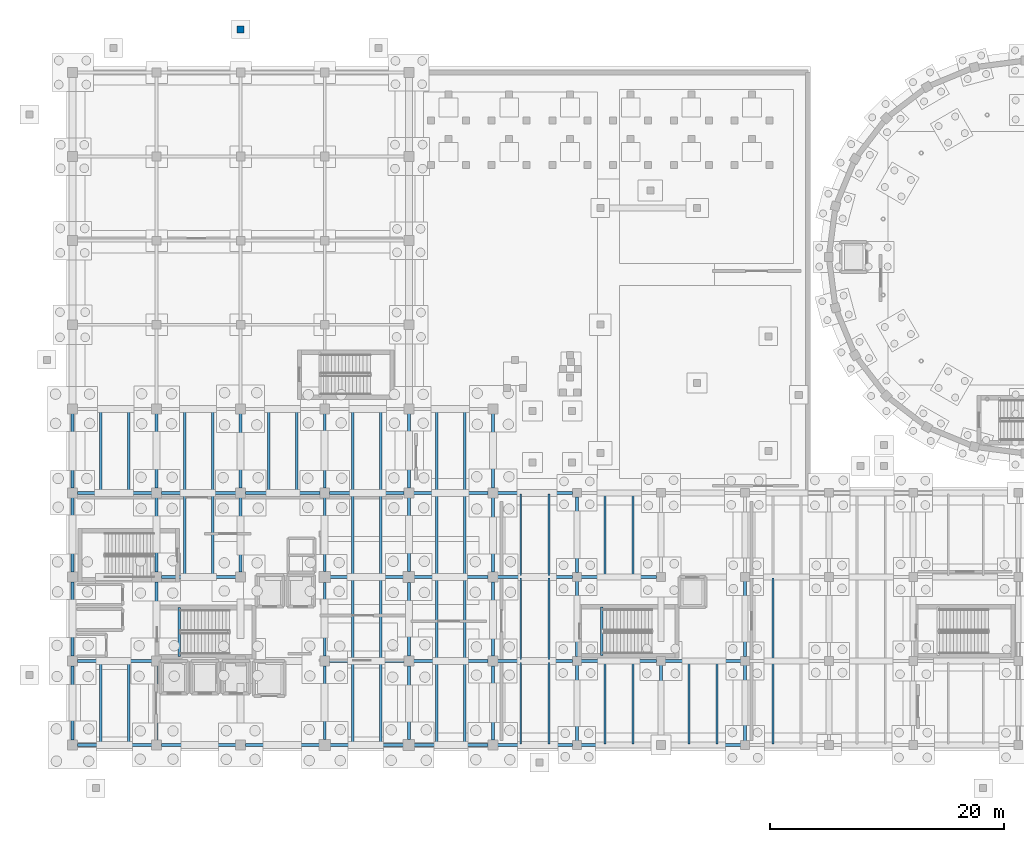
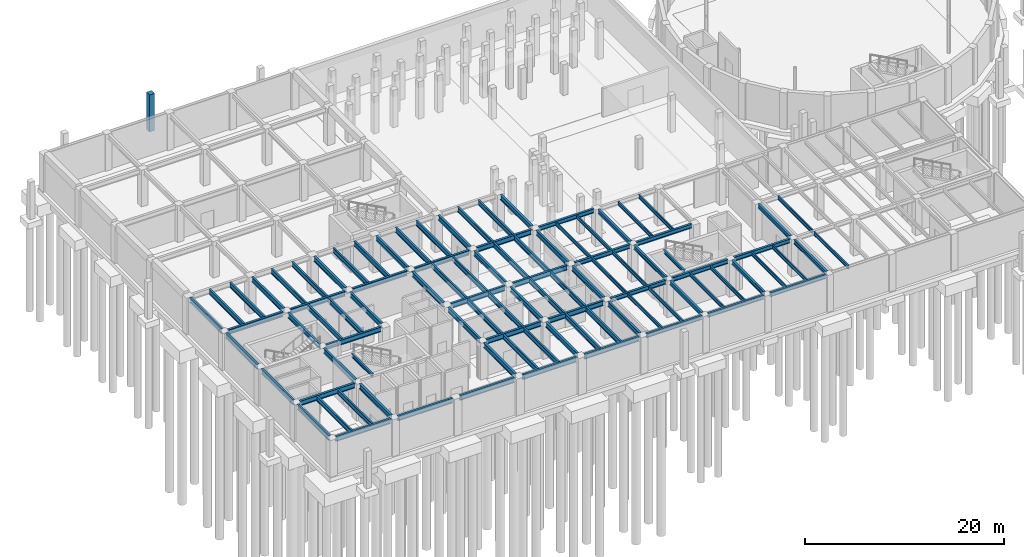
# One storey, part 10 of 26: 95 beams, 1 column.
"""IFC4 building model written with IfcOpenShell, lengths in metres."""

from ifc_helpers import new_model, si_unit, direction, frame, origin, origin_2d, place, context, subcontext, project, spatial, rectangle, i_section, extrude, material, material_profile, profile_set, type_object, element, save


model = new_model("IFC4")

# Units and contexts
model_context = context("Model", 3, precision=1e-05, world=origin(), true_north=direction((0.0, 1.0)))
body_context = subcontext(model_context, "Body", "Model", "MODEL_VIEW")
ifc_project = project(units=[si_unit("LENGTHUNIT", "METRE"), si_unit("AREAUNIT", "SQUARE_METRE"), si_unit("VOLUMEUNIT", "CUBIC_METRE"), si_unit("PLANEANGLEUNIT", "RADIAN"), si_unit("MASSUNIT", "GRAM", prefix="KILO")], contexts=[model_context])

# Site, building, storey
site_placement = place(None, origin())
site = spatial("IfcSite", under=ifc_project, at=site_placement, CompositionType="ELEMENT")
building_placement = place(site_placement, origin())
building = spatial("IfcBuilding", under=site, at=building_placement, Name="Kandorven Conservatory and Botanical Research Centre", CompositionType="ELEMENT")
storey_placement = place(building_placement, frame((0.0, 0.0, -4.800048828125)))
storey = spatial("IfcBuildingStorey", under=building, at=storey_placement, Name="B01", CompositionType="ELEMENT", Elevation=-4.800048828125)

# Column
ifc_material_1 = material(Name="Concrete C40/50 (M50)", Category="concrete")
ifc_material_profile_1 = material_profile(ifc_material_1, rectangle(XDim=0.60009765625, YDim=0.60009765625, at=origin_2d()))
ifc_profile_set_1 = profile_set([ifc_material_profile_1], Name="Concrete C40/50 (M50)")
column_type = type_object("IfcColumnType", Name="Col_TC-04", PredefinedType="COLUMN", material=ifc_profile_set_1)
column_placement = place(storey_placement, frame((20.39990234375, 67.300048828125, 0.0), z_axis=(0.0, 0.0, 1.0), x_axis=(1.0, 0.0, 0.0)))
element("IfcColumn", 1, at=column_placement, inside=storey, type_object=column_type, Name="Grade apron support pier SLAB-EXT-NORTH-LANE-2", PredefinedType="COLUMN", context=body_context, shape_type="SweptSolid", body=[
    extrude(rectangle(XDim=0.60009765625, YDim=0.60009765625, at=origin_2d()), origin(), (0.0, 0.0, 1.0), 4.550048828125),
])

# Beams
ifc_material_2 = material(Name="Steel S355 (IS 2062 E350)", Category="steel")
ifc_material_profile_2 = material_profile(ifc_material_2, i_section(OverallWidth=0.25, OverallDepth=0.60009765625, WebThickness=0.01171875, FlangeThickness=0.023681640625, at=origin_2d()))
ifc_profile_set_2 = profile_set([ifc_material_profile_2], Name="Steel S355 (IS 2062 E350)")
beam_type_1 = type_object("IfcBeamType", Name="Beam_FG-01", PredefinedType="USERDEFINED", material=ifc_profile_set_2)
beam_1_placement = place(storey_placement, frame((6.4150390625, 6.0, 4.199951171875), z_axis=(1.0, 0.0, 0.0), x_axis=(0.0, 1.0, 0.0)))
element("IfcBeam", 2, at=beam_1_placement, inside=storey, type_object=beam_type_1, Name="Primary girder FG-01 TWR B01", ObjectType="GIRDER", PredefinedType="USERDEFINED", context=body_context, shape_type="SweptSolid", body=[
    extrude(i_section(OverallWidth=0.25, OverallDepth=0.60009765625, WebThickness=0.01171875, FlangeThickness=0.023681640625, at=origin_2d()), origin(), (0.0, 0.0, 1.0), 6.369873046875),
])
beam_2_placement = place(storey_placement, frame((13.614990234375, 6.0, 4.199951171875), z_axis=(1.0, 0.0, 0.0), x_axis=(0.0, 1.0, 0.0)))
element("IfcBeam", 3, at=beam_2_placement, inside=storey, type_object=beam_type_1, Name="Primary girder FG-01 TWR B01", ObjectType="GIRDER", PredefinedType="USERDEFINED", context=body_context, shape_type="SweptSolid", body=[
    extrude(i_section(OverallWidth=0.25, OverallDepth=0.60009765625, WebThickness=0.01171875, FlangeThickness=0.023681640625, at=origin_2d()), origin(), (0.0, 0.0, 1.0), 6.3701171875),
])
beam_3_placement = place(storey_placement, frame((20.81494140625, 6.0, 4.199951171875), z_axis=(1.0, 0.0, 0.0), x_axis=(0.0, 1.0, 0.0)))
element("IfcBeam", 4, at=beam_3_placement, inside=storey, type_object=beam_type_1, Name="Primary girder FG-01 TWR B01", ObjectType="GIRDER", PredefinedType="USERDEFINED", context=body_context, shape_type="SweptSolid", body=[
    extrude(i_section(OverallWidth=0.25, OverallDepth=0.60009765625, WebThickness=0.01171875, FlangeThickness=0.023681640625, at=origin_2d()), origin(), (0.0, 0.0, 1.0), 6.320068359375),
])
beam_4_placement = place(storey_placement, frame((28.06494140625, 6.0, 4.199951171875), z_axis=(1.0, 0.0, 0.0), x_axis=(0.0, 1.0, 0.0)))
element("IfcBeam", 5, at=beam_4_placement, inside=storey, type_object=beam_type_1, Name="Primary girder FG-01 TWR B01", ObjectType="GIRDER", PredefinedType="USERDEFINED", context=body_context, shape_type="SweptSolid", body=[
    extrude(i_section(OverallWidth=0.25, OverallDepth=0.60009765625, WebThickness=0.01171875, FlangeThickness=0.023681640625, at=origin_2d()), origin(), (0.0, 0.0, 1.0), 6.27001953125),
])
beam_5_placement = place(storey_placement, frame((35.264892578125, 6.0, 4.199951171875), z_axis=(1.0, 0.0, 0.0), x_axis=(0.0, 1.0, 0.0)))
element("IfcBeam", 6, at=beam_5_placement, inside=storey, type_object=beam_type_1, Name="Primary girder FG-01 TWR B01", ObjectType="GIRDER", PredefinedType="USERDEFINED", context=body_context, shape_type="SweptSolid", body=[
    extrude(i_section(OverallWidth=0.25, OverallDepth=0.60009765625, WebThickness=0.01171875, FlangeThickness=0.023681640625, at=origin_2d()), origin(), (0.0, 0.0, 1.0), 6.320068359375),
])
beam_6_placement = place(storey_placement, frame((6.4150390625, 13.199951171875, 4.199951171875), z_axis=(1.0, 0.0, 0.0), x_axis=(0.0, 1.0, 0.0)))
element("IfcBeam", 7, at=beam_6_placement, inside=storey, type_object=beam_type_1, Name="Primary girder FG-01 TWR B01", ObjectType="GIRDER", PredefinedType="USERDEFINED", context=body_context, shape_type="SweptSolid", body=[
    extrude(i_section(OverallWidth=0.25, OverallDepth=0.60009765625, WebThickness=0.01171875, FlangeThickness=0.023681640625, at=origin_2d()), origin(), (0.0, 0.0, 1.0), 6.369873046875),
])
beam_7_placement = place(storey_placement, frame((28.014892578125, 13.199951171875, 4.199951171875), z_axis=(1.0, 0.0, 0.0), x_axis=(0.0, 1.0, 0.0)))
element("IfcBeam", 8, at=beam_7_placement, inside=storey, type_object=beam_type_1, Name="Primary girder FG-01 TWR B01", ObjectType="GIRDER", PredefinedType="USERDEFINED", context=body_context, shape_type="SweptSolid", body=[
    extrude(i_section(OverallWidth=0.25, OverallDepth=0.60009765625, WebThickness=0.01171875, FlangeThickness=0.023681640625, at=origin_2d()), origin(), (0.0, 0.0, 1.0), 6.3701171875),
])
beam_8_placement = place(storey_placement, frame((35.215087890625, 13.199951171875, 4.199951171875), z_axis=(1.0, 0.0, 0.0), x_axis=(0.0, 1.0, 0.0)))
element("IfcBeam", 9, at=beam_8_placement, inside=storey, type_object=beam_type_1, Name="Primary girder FG-01 TWR B01", ObjectType="GIRDER", PredefinedType="USERDEFINED", context=body_context, shape_type="SweptSolid", body=[
    extrude(i_section(OverallWidth=0.25, OverallDepth=0.60009765625, WebThickness=0.01171875, FlangeThickness=0.023681640625, at=origin_2d()), origin(), (0.0, 0.0, 1.0), 6.369873046875),
])
beam_9_placement = place(storey_placement, frame((13.614990234375, 20.39990234375, 4.199951171875), z_axis=(1.0, 0.0, 0.0), x_axis=(0.0, 1.0, 0.0)))
element("IfcBeam", 10, at=beam_9_placement, inside=storey, type_object=beam_type_1, Name="Primary girder FG-01 TWR B01", ObjectType="GIRDER", PredefinedType="USERDEFINED", context=body_context, shape_type="SweptSolid", body=[
    extrude(i_section(OverallWidth=0.25, OverallDepth=0.60009765625, WebThickness=0.01171875, FlangeThickness=0.023681640625, at=origin_2d()), origin(), (0.0, 0.0, 1.0), 6.3701171875),
])
beam_10_placement = place(storey_placement, frame((28.06494140625, 20.39990234375, 4.199951171875), z_axis=(1.0, 0.0, 0.0), x_axis=(0.0, 1.0, 0.0)))
element("IfcBeam", 11, at=beam_10_placement, inside=storey, type_object=beam_type_1, Name="Primary girder FG-01 TWR B01", ObjectType="GIRDER", PredefinedType="USERDEFINED", context=body_context, shape_type="SweptSolid", body=[
    extrude(i_section(OverallWidth=0.25, OverallDepth=0.60009765625, WebThickness=0.01171875, FlangeThickness=0.023681640625, at=origin_2d()), origin(), (0.0, 0.0, 1.0), 6.27001953125),
])
beam_11_placement = place(storey_placement, frame((35.264892578125, 20.39990234375, 4.199951171875), z_axis=(1.0, 0.0, 0.0), x_axis=(0.0, 1.0, 0.0)))
element("IfcBeam", 12, at=beam_11_placement, inside=storey, type_object=beam_type_1, Name="Primary girder FG-01 TWR B01", ObjectType="GIRDER", PredefinedType="USERDEFINED", context=body_context, shape_type="SweptSolid", body=[
    extrude(i_section(OverallWidth=0.25, OverallDepth=0.60009765625, WebThickness=0.01171875, FlangeThickness=0.023681640625, at=origin_2d()), origin(), (0.0, 0.0, 1.0), 6.320068359375),
])
beam_12_placement = place(storey_placement, frame((6.4150390625, 27.60009765625, 4.199951171875), z_axis=(1.0, 0.0, 0.0), x_axis=(0.0, 1.0, 0.0)))
element("IfcBeam", 13, at=beam_12_placement, inside=storey, type_object=beam_type_1, Name="Primary girder FG-01 TWR B01", ObjectType="GIRDER", PredefinedType="USERDEFINED", context=body_context, shape_type="SweptSolid", body=[
    extrude(i_section(OverallWidth=0.25, OverallDepth=0.60009765625, WebThickness=0.01171875, FlangeThickness=0.023681640625, at=origin_2d()), origin(), (0.0, 0.0, 1.0), 6.369873046875),
])
for number, where, z_axis, x_axis, name in (
    (14, (13.614990234375, 27.60009765625, 4.199951171875), (1.0, 0.0, 0.0), (0.0, 1.0, 0.0), "Primary girder FG-01 TWR B01"),
    (15, (20.81494140625, 27.60009765625, 4.199951171875), (1.0, 0.0, 0.0), (0.0, 1.0, 0.0), "Primary girder FG-01 TWR B01"),
    (16, (28.014892578125, 27.60009765625, 4.199951171875), (1.0, 0.0, 0.0), (0.0, 1.0, 0.0), "Primary girder FG-01 TWR B01"),
):
    element("IfcBeam", number, at=place(storey_placement, frame(where, z_axis=z_axis, x_axis=x_axis)), inside=storey, type_object=beam_type_1, Name=name, ObjectType="GIRDER", PredefinedType="USERDEFINED", context=body_context, shape_type="SweptSolid", body=[
        extrude(i_section(OverallWidth=0.25, OverallDepth=0.60009765625, WebThickness=0.01171875, FlangeThickness=0.023681640625, at=origin_2d()), origin(), (0.0, 0.0, 1.0), 6.3701171875),
    ])
for number, where, z_axis, x_axis, name in (
    (17, (35.215087890625, 27.60009765625, 4.199951171875), (1.0, 0.0, 0.0), (0.0, 1.0, 0.0), "Primary girder FG-01 TWR B01"),
    (18, (6.0, 6.4150390625, 4.199951171875), (0.0, 1.0, 0.0), (-1.0, 0.0, 0.0), "Primary girder FG-01 TWR B01"),
):
    element("IfcBeam", number, at=place(storey_placement, frame(where, z_axis=z_axis, x_axis=x_axis)), inside=storey, type_object=beam_type_1, Name=name, ObjectType="GIRDER", PredefinedType="USERDEFINED", context=body_context, shape_type="SweptSolid", body=[
        extrude(i_section(OverallWidth=0.25, OverallDepth=0.60009765625, WebThickness=0.01171875, FlangeThickness=0.023681640625, at=origin_2d()), origin(), (0.0, 0.0, 1.0), 6.369873046875),
    ])
for number, where, z_axis, x_axis, name in (
    (19, (6.0, 13.614990234375, 4.199951171875), (0.0, 1.0, 0.0), (-1.0, 0.0, 0.0), "Primary girder FG-01 TWR B01"),
    (20, (6.0, 20.81494140625, 4.199951171875), (0.0, 1.0, 0.0), (-1.0, 0.0, 0.0), "Primary girder FG-01 TWR B01"),
    (21, (6.0, 28.014892578125, 4.199951171875), (0.0, 1.0, 0.0), (-1.0, 0.0, 0.0), "Primary girder FG-01 TWR B01"),
):
    element("IfcBeam", number, at=place(storey_placement, frame(where, z_axis=z_axis, x_axis=x_axis)), inside=storey, type_object=beam_type_1, Name=name, ObjectType="GIRDER", PredefinedType="USERDEFINED", context=body_context, shape_type="SweptSolid", body=[
        extrude(i_section(OverallWidth=0.25, OverallDepth=0.60009765625, WebThickness=0.01171875, FlangeThickness=0.023681640625, at=origin_2d()), origin(), (0.0, 0.0, 1.0), 6.3701171875),
    ])
beam_13_placement = place(storey_placement, frame((13.199951171875, 6.4150390625, 4.199951171875), z_axis=(0.0, 1.0, 0.0), x_axis=(-1.0, 0.0, 0.0)))
element("IfcBeam", 22, at=beam_13_placement, inside=storey, type_object=beam_type_1, Name="Primary girder FG-01 TWR B01", ObjectType="GIRDER", PredefinedType="USERDEFINED", context=body_context, shape_type="SweptSolid", body=[
    extrude(i_section(OverallWidth=0.25, OverallDepth=0.60009765625, WebThickness=0.01171875, FlangeThickness=0.023681640625, at=origin_2d()), origin(), (0.0, 0.0, 1.0), 6.369873046875),
])
for number, where, z_axis, x_axis, name in (
    (23, (13.199951171875, 13.614990234375, 4.199951171875), (0.0, 1.0, 0.0), (-1.0, 0.0, 0.0), "Primary girder FG-01 TWR B01"),
    (24, (13.199951171875, 20.81494140625, 4.199951171875), (0.0, 1.0, 0.0), (-1.0, 0.0, 0.0), "Primary girder FG-01 TWR B01"),
    (25, (13.199951171875, 28.014892578125, 4.199951171875), (0.0, 1.0, 0.0), (-1.0, 0.0, 0.0), "Primary girder FG-01 TWR B01"),
    (26, (20.39990234375, 20.81494140625, 4.199951171875), (0.0, 1.0, 0.0), (-1.0, 0.0, 0.0), "Primary girder FG-01 TWR B01"),
    (27, (20.39990234375, 28.014892578125, 4.199951171875), (0.0, 1.0, 0.0), (-1.0, 0.0, 0.0), "Primary girder FG-01 TWR B01"),
):
    element("IfcBeam", number, at=place(storey_placement, frame(where, z_axis=z_axis, x_axis=x_axis)), inside=storey, type_object=beam_type_1, Name=name, ObjectType="GIRDER", PredefinedType="USERDEFINED", context=body_context, shape_type="SweptSolid", body=[
        extrude(i_section(OverallWidth=0.25, OverallDepth=0.60009765625, WebThickness=0.01171875, FlangeThickness=0.023681640625, at=origin_2d()), origin(), (0.0, 0.0, 1.0), 6.3701171875),
    ])
beam_14_placement = place(storey_placement, frame((27.60009765625, 6.465087890625, 4.199951171875), z_axis=(0.0, 1.0, 0.0), x_axis=(-1.0, 0.0, 0.0)))
element("IfcBeam", 28, at=beam_14_placement, inside=storey, type_object=beam_type_1, Name="Primary girder FG-01 TWR B01", ObjectType="GIRDER", PredefinedType="USERDEFINED", context=body_context, shape_type="SweptSolid", body=[
    extrude(i_section(OverallWidth=0.25, OverallDepth=0.60009765625, WebThickness=0.01171875, FlangeThickness=0.023681640625, at=origin_2d()), origin(), (0.0, 0.0, 1.0), 6.31982421875),
])
for number, where, z_axis, x_axis, name in (
    (29, (27.60009765625, 13.614990234375, 4.199951171875), (0.0, 1.0, 0.0), (-1.0, 0.0, 0.0), "Primary girder FG-01 TWR B01"),
    (30, (27.60009765625, 20.864990234375, 4.199951171875), (0.0, 1.0, 0.0), (-1.0, 0.0, 0.0), "Primary girder FG-01 TWR B01"),
):
    element("IfcBeam", number, at=place(storey_placement, frame(where, z_axis=z_axis, x_axis=x_axis)), inside=storey, type_object=beam_type_1, Name=name, ObjectType="GIRDER", PredefinedType="USERDEFINED", context=body_context, shape_type="SweptSolid", body=[
        extrude(i_section(OverallWidth=0.25, OverallDepth=0.60009765625, WebThickness=0.01171875, FlangeThickness=0.023681640625, at=origin_2d()), origin(), (0.0, 0.0, 1.0), 6.320068359375),
    ])
beam_15_placement = place(storey_placement, frame((27.60009765625, 28.014892578125, 4.199951171875), z_axis=(0.0, 1.0, 0.0), x_axis=(-1.0, 0.0, 0.0)))
element("IfcBeam", 31, at=beam_15_placement, inside=storey, type_object=beam_type_1, Name="Primary girder FG-01 TWR B01", ObjectType="GIRDER", PredefinedType="USERDEFINED", context=body_context, shape_type="SweptSolid", body=[
    extrude(i_section(OverallWidth=0.25, OverallDepth=0.60009765625, WebThickness=0.01171875, FlangeThickness=0.023681640625, at=origin_2d()), origin(), (0.0, 0.0, 1.0), 6.3701171875),
])
beam_16_placement = place(storey_placement, frame((34.800048828125, 6.465087890625, 4.199951171875), z_axis=(0.0, 1.0, 0.0), x_axis=(-1.0, 0.0, 0.0)))
element("IfcBeam", 32, at=beam_16_placement, inside=storey, type_object=beam_type_1, Name="Primary girder FG-01 TWR B01", ObjectType="GIRDER", PredefinedType="USERDEFINED", context=body_context, shape_type="SweptSolid", body=[
    extrude(i_section(OverallWidth=0.25, OverallDepth=0.60009765625, WebThickness=0.01171875, FlangeThickness=0.023681640625, at=origin_2d()), origin(), (0.0, 0.0, 1.0), 6.31982421875),
])
for number, where, z_axis, x_axis, name in (
    (33, (34.800048828125, 13.614990234375, 4.199951171875), (0.0, 1.0, 0.0), (-1.0, 0.0, 0.0), "Primary girder FG-01 TWR B01"),
    (34, (34.800048828125, 20.864990234375, 4.199951171875), (0.0, 1.0, 0.0), (-1.0, 0.0, 0.0), "Primary girder FG-01 TWR B01"),
):
    element("IfcBeam", number, at=place(storey_placement, frame(where, z_axis=z_axis, x_axis=x_axis)), inside=storey, type_object=beam_type_1, Name=name, ObjectType="GIRDER", PredefinedType="USERDEFINED", context=body_context, shape_type="SweptSolid", body=[
        extrude(i_section(OverallWidth=0.25, OverallDepth=0.60009765625, WebThickness=0.01171875, FlangeThickness=0.023681640625, at=origin_2d()), origin(), (0.0, 0.0, 1.0), 6.320068359375),
    ])
beam_17_placement = place(storey_placement, frame((34.800048828125, 28.014892578125, 4.199951171875), z_axis=(0.0, 1.0, 0.0), x_axis=(-1.0, 0.0, 0.0)))
element("IfcBeam", 35, at=beam_17_placement, inside=storey, type_object=beam_type_1, Name="Primary girder FG-01 TWR B01", ObjectType="GIRDER", PredefinedType="USERDEFINED", context=body_context, shape_type="SweptSolid", body=[
    extrude(i_section(OverallWidth=0.25, OverallDepth=0.60009765625, WebThickness=0.01171875, FlangeThickness=0.023681640625, at=origin_2d()), origin(), (0.0, 0.0, 1.0), 6.3701171875),
])
beam_18_placement = place(storey_placement, frame((42.0, 6.4150390625, 4.199951171875), z_axis=(0.0, 1.0, 0.0), x_axis=(-1.0, 0.0, 0.0)))
element("IfcBeam", 36, at=beam_18_placement, inside=storey, type_object=beam_type_1, Name="Primary girder FG-01 TWR B01", ObjectType="GIRDER", PredefinedType="USERDEFINED", context=body_context, shape_type="SweptSolid", body=[
    extrude(i_section(OverallWidth=0.25, OverallDepth=0.60009765625, WebThickness=0.01171875, FlangeThickness=0.023681640625, at=origin_2d()), origin(), (0.0, 0.0, 1.0), 6.369873046875),
])
for number, where, z_axis, x_axis, name in (
    (37, (42.0, 13.614990234375, 4.199951171875), (0.0, 1.0, 0.0), (-1.0, 0.0, 0.0), "Primary girder FG-01 TWR B01"),
    (38, (42.0, 20.81494140625, 4.199951171875), (0.0, 1.0, 0.0), (-1.0, 0.0, 0.0), "Primary girder FG-01 TWR B01"),
    (39, (42.0, 28.014892578125, 4.199951171875), (0.0, 1.0, 0.0), (-1.0, 0.0, 0.0), "Primary girder FG-01 TWR B01"),
):
    element("IfcBeam", number, at=place(storey_placement, frame(where, z_axis=z_axis, x_axis=x_axis)), inside=storey, type_object=beam_type_1, Name=name, ObjectType="GIRDER", PredefinedType="USERDEFINED", context=body_context, shape_type="SweptSolid", body=[
        extrude(i_section(OverallWidth=0.25, OverallDepth=0.60009765625, WebThickness=0.01171875, FlangeThickness=0.023681640625, at=origin_2d()), origin(), (0.0, 0.0, 1.0), 6.3701171875),
    ])
ifc_material_3 = material(Name="Steel S355 (IS 2062 E350)", Category="steel")
ifc_material_profile_3 = material_profile(ifc_material_3, i_section(OverallWidth=0.25, OverallDepth=0.5, WebThickness=0.010009765625, FlangeThickness=0.0146484375, at=origin_2d()))
ifc_profile_set_3 = profile_set([ifc_material_profile_3], Name="Steel S355 (IS 2062 E350)")
beam_type_2 = type_object("IfcBeamType", Name="Beam_FG-02", PredefinedType="USERDEFINED", material=ifc_profile_set_3)
beam_19_placement = place(storey_placement, frame((42.4150390625, 6.0, 4.25), z_axis=(1.0, 0.0, 0.0), x_axis=(0.0, 1.0, 0.0)))
element("IfcBeam", 40, at=beam_19_placement, inside=storey, type_object=beam_type_2, Name="Primary girder FG-02 VIS B01", ObjectType="GIRDER", PredefinedType="USERDEFINED", context=body_context, shape_type="SweptSolid", body=[
    extrude(i_section(OverallWidth=0.25, OverallDepth=0.5, WebThickness=0.010009765625, FlangeThickness=0.0146484375, at=origin_2d()), origin(), (0.0, 0.0, 1.0), 6.419921875),
])
beam_20_placement = place(storey_placement, frame((49.56494140625, 6.0, 4.25), z_axis=(1.0, 0.0, 0.0), x_axis=(0.0, 1.0, 0.0)))
element("IfcBeam", 41, at=beam_20_placement, inside=storey, type_object=beam_type_2, Name="Primary girder FG-02 VIS B01", ObjectType="GIRDER", PredefinedType="USERDEFINED", context=body_context, shape_type="SweptSolid", body=[
    extrude(i_section(OverallWidth=0.25, OverallDepth=0.5, WebThickness=0.010009765625, FlangeThickness=0.0146484375, at=origin_2d()), origin(), (0.0, 0.0, 1.0), 6.469970703125),
])
beam_21_placement = place(storey_placement, frame((56.764892578125, 6.0, 4.25), z_axis=(1.0, 0.0, 0.0), x_axis=(0.0, 1.0, 0.0)))
element("IfcBeam", 42, at=beam_21_placement, inside=storey, type_object=beam_type_2, Name="Primary girder FG-02 VIS B01", ObjectType="GIRDER", PredefinedType="USERDEFINED", context=body_context, shape_type="SweptSolid", body=[
    extrude(i_section(OverallWidth=0.25, OverallDepth=0.5, WebThickness=0.010009765625, FlangeThickness=0.0146484375, at=origin_2d()), origin(), (0.0, 0.0, 1.0), 6.47021484375),
])
beam_22_placement = place(storey_placement, frame((42.4150390625, 13.199951171875, 4.25), z_axis=(1.0, 0.0, 0.0), x_axis=(0.0, 1.0, 0.0)))
element("IfcBeam", 43, at=beam_22_placement, inside=storey, type_object=beam_type_2, Name="Primary girder FG-02 VIS B01", ObjectType="GIRDER", PredefinedType="USERDEFINED", context=body_context, shape_type="SweptSolid", body=[
    extrude(i_section(OverallWidth=0.25, OverallDepth=0.5, WebThickness=0.010009765625, FlangeThickness=0.0146484375, at=origin_2d()), origin(), (0.0, 0.0, 1.0), 6.419921875),
])
beam_23_placement = place(storey_placement, frame((49.56494140625, 13.199951171875, 4.25), z_axis=(1.0, 0.0, 0.0), x_axis=(0.0, 1.0, 0.0)))
element("IfcBeam", 44, at=beam_23_placement, inside=storey, type_object=beam_type_2, Name="Primary girder FG-02 VIS B01", ObjectType="GIRDER", PredefinedType="USERDEFINED", context=body_context, shape_type="SweptSolid", body=[
    extrude(i_section(OverallWidth=0.25, OverallDepth=0.5, WebThickness=0.010009765625, FlangeThickness=0.0146484375, at=origin_2d()), origin(), (0.0, 0.0, 1.0), 6.469970703125),
])
beam_24_placement = place(storey_placement, frame((56.764892578125, 13.199951171875, 4.25), z_axis=(1.0, 0.0, 0.0), x_axis=(0.0, 1.0, 0.0)))
element("IfcBeam", 45, at=beam_24_placement, inside=storey, type_object=beam_type_2, Name="Primary girder FG-02 VIS B01", ObjectType="GIRDER", PredefinedType="USERDEFINED", context=body_context, shape_type="SweptSolid", body=[
    extrude(i_section(OverallWidth=0.25, OverallDepth=0.5, WebThickness=0.010009765625, FlangeThickness=0.0146484375, at=origin_2d()), origin(), (0.0, 0.0, 1.0), 6.47021484375),
])
beam_25_placement = place(storey_placement, frame((42.4150390625, 20.39990234375, 4.25), z_axis=(1.0, 0.0, 0.0), x_axis=(0.0, 1.0, 0.0)))
element("IfcBeam", 46, at=beam_25_placement, inside=storey, type_object=beam_type_2, Name="Primary girder FG-02 VIS B01", ObjectType="GIRDER", PredefinedType="USERDEFINED", context=body_context, shape_type="SweptSolid", body=[
    extrude(i_section(OverallWidth=0.25, OverallDepth=0.5, WebThickness=0.010009765625, FlangeThickness=0.0146484375, at=origin_2d()), origin(), (0.0, 0.0, 1.0), 6.419921875),
])
beam_26_placement = place(storey_placement, frame((49.56494140625, 20.39990234375, 4.25), z_axis=(1.0, 0.0, 0.0), x_axis=(0.0, 1.0, 0.0)))
element("IfcBeam", 47, at=beam_26_placement, inside=storey, type_object=beam_type_2, Name="Primary girder FG-02 VIS B01", ObjectType="GIRDER", PredefinedType="USERDEFINED", context=body_context, shape_type="SweptSolid", body=[
    extrude(i_section(OverallWidth=0.25, OverallDepth=0.5, WebThickness=0.010009765625, FlangeThickness=0.0146484375, at=origin_2d()), origin(), (0.0, 0.0, 1.0), 6.469970703125),
])
beam_27_placement = place(storey_placement, frame((42.4150390625, 27.60009765625, 4.25), z_axis=(1.0, 0.0, 0.0), x_axis=(0.0, 1.0, 0.0)))
element("IfcBeam", 48, at=beam_27_placement, inside=storey, type_object=beam_type_2, Name="Primary girder FG-02 VIS B01", ObjectType="GIRDER", PredefinedType="USERDEFINED", context=body_context, shape_type="SweptSolid", body=[
    extrude(i_section(OverallWidth=0.25, OverallDepth=0.5, WebThickness=0.010009765625, FlangeThickness=0.0146484375, at=origin_2d()), origin(), (0.0, 0.0, 1.0), 6.419921875),
])
for number, where, z_axis, x_axis, name in (
    (49, (49.199951171875, 6.364990234375, 4.25), (0.0, 1.0, 0.0), (-1.0, 0.0, 0.0), "Primary girder FG-02 VIS B01"),
    (50, (49.199951171875, 13.56494140625, 4.25), (0.0, 1.0, 0.0), (-1.0, 0.0, 0.0), "Primary girder FG-02 VIS B01"),
):
    element("IfcBeam", number, at=place(storey_placement, frame(where, z_axis=z_axis, x_axis=x_axis)), inside=storey, type_object=beam_type_2, Name=name, ObjectType="GIRDER", PredefinedType="USERDEFINED", context=body_context, shape_type="SweptSolid", body=[
        extrude(i_section(OverallWidth=0.25, OverallDepth=0.5, WebThickness=0.010009765625, FlangeThickness=0.0146484375, at=origin_2d()), origin(), (0.0, 0.0, 1.0), 6.469970703125),
    ])
beam_28_placement = place(storey_placement, frame((49.199951171875, 20.764892578125, 4.25), z_axis=(0.0, 1.0, 0.0), x_axis=(-1.0, 0.0, 0.0)))
element("IfcBeam", 51, at=beam_28_placement, inside=storey, type_object=beam_type_2, Name="Primary girder FG-02 VIS B01", ObjectType="GIRDER", PredefinedType="USERDEFINED", context=body_context, shape_type="SweptSolid", body=[
    extrude(i_section(OverallWidth=0.25, OverallDepth=0.5, WebThickness=0.010009765625, FlangeThickness=0.0146484375, at=origin_2d()), origin(), (0.0, 0.0, 1.0), 6.47021484375),
])
for number, where, z_axis, x_axis, name in (
    (52, (56.39990234375, 6.364990234375, 4.25), (0.0, 1.0, 0.0), (-1.0, 0.0, 0.0), "Primary girder FG-02 VIS B01"),
    (53, (63.60009765625, 6.364990234375, 4.25), (0.0, 1.0, 0.0), (-1.0, 0.0, 0.0), "Primary girder FG-02 VIS B01"),
    (54, (63.60009765625, 13.56494140625, 4.25), (0.0, 1.0, 0.0), (-1.0, 0.0, 0.0), "Primary girder FG-02 VIS B01"),
):
    element("IfcBeam", number, at=place(storey_placement, frame(where, z_axis=z_axis, x_axis=x_axis)), inside=storey, type_object=beam_type_2, Name=name, ObjectType="GIRDER", PredefinedType="USERDEFINED", context=body_context, shape_type="SweptSolid", body=[
        extrude(i_section(OverallWidth=0.25, OverallDepth=0.5, WebThickness=0.010009765625, FlangeThickness=0.0146484375, at=origin_2d()), origin(), (0.0, 0.0, 1.0), 6.469970703125),
    ])
ifc_material_4 = material(Name="Steel S355 (IS 2062 E350)", Category="steel")
ifc_material_profile_4 = material_profile(ifc_material_4, i_section(OverallWidth=0.199951171875, OverallDepth=0.39990234375, WebThickness=0.008544921875, FlangeThickness=0.012939453125, at=origin_2d()))
ifc_profile_set_4 = profile_set([ifc_material_profile_4], Name="Steel S355 (IS 2062 E350)")
beam_type_3 = type_object("IfcBeamType", Name="Beam_FG-03", PredefinedType="USERDEFINED", material=ifc_profile_set_4)
beam_29_placement = place(storey_placement, frame((15.139892578125, 13.580078125, 4.300048828125), z_axis=(0.0, 1.0, 0.0), x_axis=(-1.0, 0.0, 0.0)))
element("IfcBeam", 55, at=beam_29_placement, inside=storey, type_object=beam_type_3, Name="Stair well top header girder FG-03 ST-T1 B01", ObjectType="GIRDER", PredefinedType="USERDEFINED", context=body_context, shape_type="SweptSolid", body=[
    extrude(i_section(OverallWidth=0.199951171875, OverallDepth=0.39990234375, WebThickness=0.008544921875, FlangeThickness=0.012939453125, at=origin_2d()), origin(), (0.0, 0.0, 1.0), 4.18994140625),
])
beam_30_placement = place(storey_placement, frame((51.340087890625, 13.64990234375, 4.300048828125), z_axis=(0.0, 1.0, 0.0), x_axis=(-1.0, 0.0, 0.0)))
element("IfcBeam", 56, at=beam_30_placement, inside=storey, type_object=beam_type_3, Name="Stair well top header girder FG-03 ST-V3A B01", ObjectType="GIRDER", PredefinedType="USERDEFINED", context=body_context, shape_type="SweptSolid", body=[
    extrude(i_section(OverallWidth=0.199951171875, OverallDepth=0.39990234375, WebThickness=0.008544921875, FlangeThickness=0.012939453125, at=origin_2d()), origin(), (0.0, 0.0, 1.0), 4.190185546875),
])
ifc_material_5 = material(Name="Steel S355 (IS 2062 E350)", Category="steel")
ifc_material_profile_5 = material_profile(ifc_material_5, i_section(OverallWidth=0.2099609375, OverallDepth=0.60009765625, WebThickness=0.011962890625, FlangeThickness=0.020751953125, at=origin_2d()))
ifc_profile_set_5 = profile_set([ifc_material_profile_5], Name="Steel S355 (IS 2062 E350)")
beam_type_4 = type_object("IfcBeamType", Name="Beam_SB-01", PredefinedType="BEAM", material=ifc_profile_set_5)
for number, where, z_axis, x_axis, name in (
    (57, (8.39990234375, 6.110107421875, 4.199951171875), (0.0, 1.0, 0.0), (-1.0, 0.0, 0.0), "Composite secondary beam SB-01 TWR B01"),
    (58, (10.800048828125, 6.110107421875, 4.199951171875), (0.0, 1.0, 0.0), (-1.0, 0.0, 0.0), "Composite secondary beam SB-01 TWR B01"),
    (59, (8.39990234375, 27.7099609375, 4.199951171875), (0.0, 1.0, 0.0), (-1.0, 0.0, 0.0), "Composite secondary beam SB-01 TWR B01"),
    (60, (10.800048828125, 27.7099609375, 4.199951171875), (0.0, 1.0, 0.0), (-1.0, 0.0, 0.0), "Composite secondary beam SB-01 TWR B01"),
    (61, (15.60009765625, 20.510009765625, 4.199951171875), (0.0, 1.0, 0.0), (-1.0, 0.0, 0.0), "Composite secondary beam SB-01 TWR B01"),
    (62, (18.0, 20.510009765625, 4.199951171875), (0.0, 1.0, 0.0), (-1.0, 0.0, 0.0), "Composite secondary beam SB-01 TWR B01"),
    (63, (15.60009765625, 27.7099609375, 4.199951171875), (0.0, 1.0, 0.0), (-1.0, 0.0, 0.0), "Composite secondary beam SB-01 TWR B01"),
    (64, (18.0, 27.7099609375, 4.199951171875), (0.0, 1.0, 0.0), (-1.0, 0.0, 0.0), "Composite secondary beam SB-01 TWR B01"),
    (65, (22.800048828125, 27.7099609375, 4.199951171875), (0.0, 1.0, 0.0), (-1.0, 0.0, 0.0), "Composite secondary beam SB-01 TWR B01"),
    (66, (25.199951171875, 27.7099609375, 4.199951171875), (0.0, 1.0, 0.0), (-1.0, 0.0, 0.0), "Composite secondary beam SB-01 TWR B01"),
    (67, (30.0, 6.110107421875, 4.199951171875), (0.0, 1.0, 0.0), (-1.0, 0.0, 0.0), "Composite secondary beam SB-01 TWR B01"),
    (68, (32.39990234375, 6.110107421875, 4.199951171875), (0.0, 1.0, 0.0), (-1.0, 0.0, 0.0), "Composite secondary beam SB-01 TWR B01"),
    (69, (30.0, 13.31005859375, 4.199951171875), (0.0, 1.0, 0.0), (-1.0, 0.0, 0.0), "Composite secondary beam SB-01 TWR B01"),
    (70, (32.39990234375, 13.31005859375, 4.199951171875), (0.0, 1.0, 0.0), (-1.0, 0.0, 0.0), "Composite secondary beam SB-01 TWR B01"),
    (71, (30.0, 20.510009765625, 4.199951171875), (0.0, 1.0, 0.0), (-1.0, 0.0, 0.0), "Composite secondary beam SB-01 TWR B01"),
    (72, (32.39990234375, 20.510009765625, 4.199951171875), (0.0, 1.0, 0.0), (-1.0, 0.0, 0.0), "Composite secondary beam SB-01 TWR B01"),
    (73, (30.0, 27.7099609375, 4.199951171875), (0.0, 1.0, 0.0), (-1.0, 0.0, 0.0), "Composite secondary beam SB-01 TWR B01"),
    (74, (32.39990234375, 27.7099609375, 4.199951171875), (0.0, 1.0, 0.0), (-1.0, 0.0, 0.0), "Composite secondary beam SB-01 TWR B01"),
    (75, (37.199951171875, 6.110107421875, 4.199951171875), (0.0, 1.0, 0.0), (-1.0, 0.0, 0.0), "Composite secondary beam SB-01 TWR B01"),
    (76, (39.60009765625, 6.110107421875, 4.199951171875), (0.0, 1.0, 0.0), (-1.0, 0.0, 0.0), "Composite secondary beam SB-01 TWR B01"),
    (77, (37.199951171875, 13.31005859375, 4.199951171875), (0.0, 1.0, 0.0), (-1.0, 0.0, 0.0), "Composite secondary beam SB-01 TWR B01"),
    (78, (39.60009765625, 13.31005859375, 4.199951171875), (0.0, 1.0, 0.0), (-1.0, 0.0, 0.0), "Composite secondary beam SB-01 TWR B01"),
    (79, (37.199951171875, 20.510009765625, 4.199951171875), (0.0, 1.0, 0.0), (-1.0, 0.0, 0.0), "Composite secondary beam SB-01 TWR B01"),
    (80, (39.60009765625, 20.510009765625, 4.199951171875), (0.0, 1.0, 0.0), (-1.0, 0.0, 0.0), "Composite secondary beam SB-01 TWR B01"),
    (81, (37.199951171875, 27.7099609375, 4.199951171875), (0.0, 1.0, 0.0), (-1.0, 0.0, 0.0), "Composite secondary beam SB-01 TWR B01"),
    (82, (39.60009765625, 27.7099609375, 4.199951171875), (0.0, 1.0, 0.0), (-1.0, 0.0, 0.0), "Composite secondary beam SB-01 TWR B01"),
):
    element("IfcBeam", number, at=place(storey_placement, frame(where, z_axis=z_axis, x_axis=x_axis)), inside=storey, type_object=beam_type_4, Name=name, PredefinedType="BEAM", context=body_context, shape_type="SweptSolid", body=[
        extrude(i_section(OverallWidth=0.2099609375, OverallDepth=0.60009765625, WebThickness=0.011962890625, FlangeThickness=0.020751953125, at=origin_2d()), origin(), (0.0, 0.0, 1.0), 6.97998046875),
    ])
ifc_material_6 = material(Name="Steel S355 (IS 2062 E350)", Category="steel")
ifc_material_profile_6 = material_profile(ifc_material_6, i_section(OverallWidth=0.14990234375, OverallDepth=0.449951171875, WebThickness=0.009521484375, FlangeThickness=0.017333984375, at=origin_2d()))
ifc_profile_set_6 = profile_set([ifc_material_profile_6], Name="Steel S355 (IS 2062 E350)")
beam_type_5 = type_object("IfcBeamType", Name="Beam_SB-04", PredefinedType="BEAM", material=ifc_profile_set_6)
for number, where, z_axis, x_axis, name in (
    (83, (44.39990234375, 6.110107421875, 4.275146484375), (0.0, 1.0, 0.0), (-1.0, 0.0, 0.0), "Composite secondary beam SB-04 VIS B01"),
    (84, (46.800048828125, 6.110107421875, 4.275146484375), (0.0, 1.0, 0.0), (-1.0, 0.0, 0.0), "Composite secondary beam SB-04 VIS B01"),
    (85, (44.39990234375, 13.31005859375, 4.275146484375), (0.0, 1.0, 0.0), (-1.0, 0.0, 0.0), "Composite secondary beam SB-04 VIS B01"),
    (86, (46.800048828125, 13.31005859375, 4.275146484375), (0.0, 1.0, 0.0), (-1.0, 0.0, 0.0), "Composite secondary beam SB-04 VIS B01"),
    (87, (44.39990234375, 20.510009765625, 4.275146484375), (0.0, 1.0, 0.0), (-1.0, 0.0, 0.0), "Composite secondary beam SB-04 VIS B01"),
    (88, (46.800048828125, 20.510009765625, 4.275146484375), (0.0, 1.0, 0.0), (-1.0, 0.0, 0.0), "Composite secondary beam SB-04 VIS B01"),
    (89, (51.60009765625, 6.110107421875, 4.275146484375), (0.0, 1.0, 0.0), (-1.0, 0.0, 0.0), "Composite secondary beam SB-04 VIS B01"),
    (90, (54.0, 6.110107421875, 4.275146484375), (0.0, 1.0, 0.0), (-1.0, 0.0, 0.0), "Composite secondary beam SB-04 VIS B01"),
    (91, (51.60009765625, 20.510009765625, 4.275146484375), (0.0, 1.0, 0.0), (-1.0, 0.0, 0.0), "Composite secondary beam SB-04 VIS B01"),
    (92, (54.0, 20.510009765625, 4.275146484375), (0.0, 1.0, 0.0), (-1.0, 0.0, 0.0), "Composite secondary beam SB-04 VIS B01"),
    (93, (58.800048828125, 6.110107421875, 4.275146484375), (0.0, 1.0, 0.0), (-1.0, 0.0, 0.0), "Composite secondary beam SB-04 VIS B01"),
    (94, (61.199951171875, 6.110107421875, 4.275146484375), (0.0, 1.0, 0.0), (-1.0, 0.0, 0.0), "Composite secondary beam SB-04 VIS B01"),
    (95, (66.0, 6.110107421875, 4.275146484375), (0.0, 1.0, 0.0), (-1.0, 0.0, 0.0), "Composite secondary beam SB-04 VIS B01"),
    (96, (66.0, 13.31005859375, 4.275146484375), (0.0, 1.0, 0.0), (-1.0, 0.0, 0.0), "Composite secondary beam SB-04 VIS B01"),
):
    element("IfcBeam", number, at=place(storey_placement, frame(where, z_axis=z_axis, x_axis=x_axis)), inside=storey, type_object=beam_type_5, Name=name, PredefinedType="BEAM", context=body_context, shape_type="SweptSolid", body=[
        extrude(i_section(OverallWidth=0.14990234375, OverallDepth=0.449951171875, WebThickness=0.009521484375, FlangeThickness=0.017333984375, at=origin_2d()), origin(), (0.0, 0.0, 1.0), 6.97998046875),
    ])

save(model, "model.ifc")
